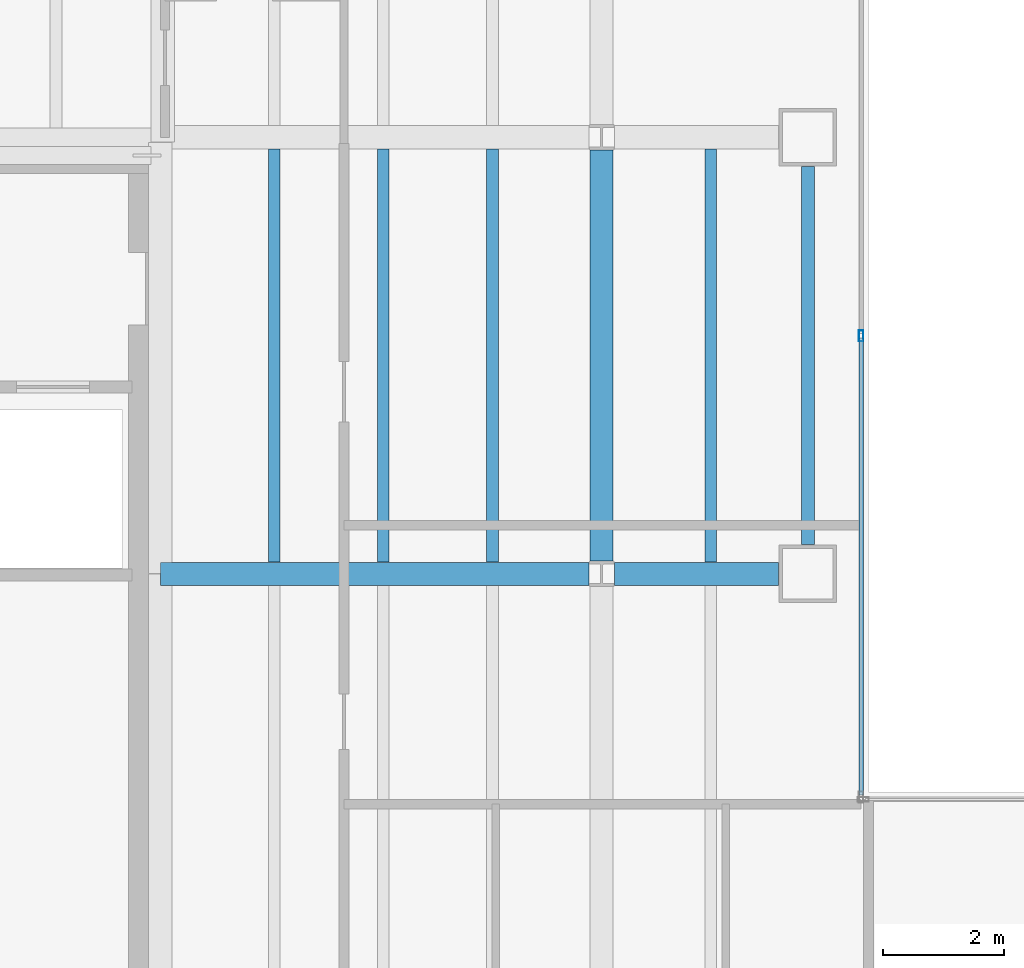
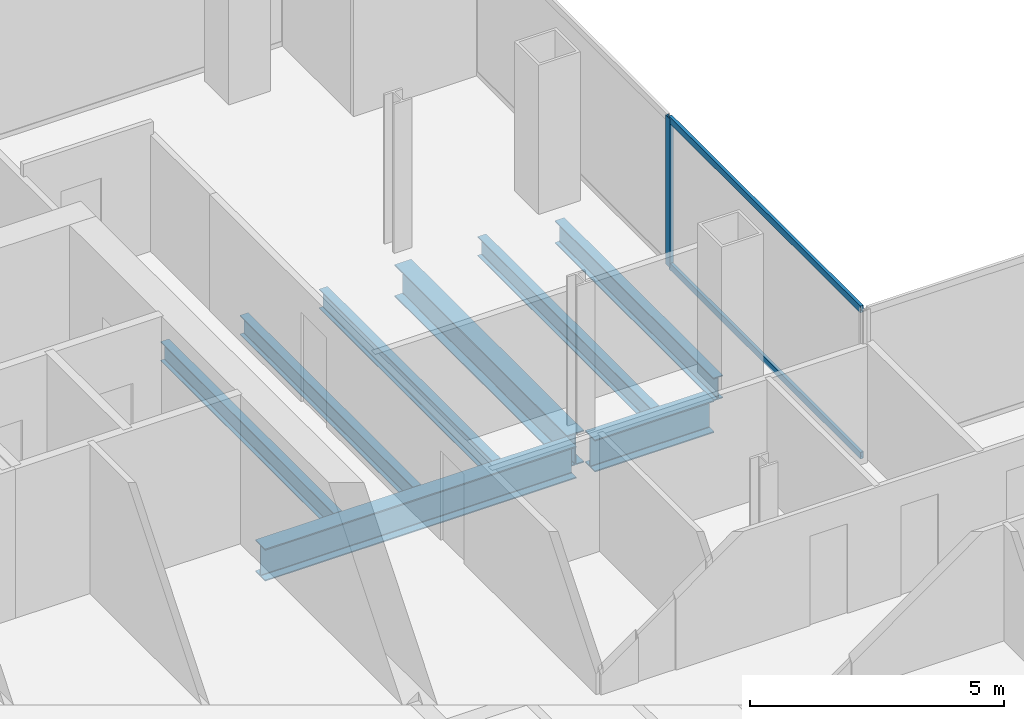
# One storey, part 8 of 23: 8 beams, 3 members, 1 element without a shape of its own.
"""IFC4 building model written with IfcOpenShell, lengths in metres."""

from ifc_helpers import new_model, si_unit, direction, frame, origin, origin_2d, place, context, subcontext, project, spatial, hollow_rectangle, i_section, extrude, material, material_profile, profile_set, type_object, element, aggregate, save


model = new_model("IFC4")

# Units and contexts
model_context = context("Model", 3, precision=1e-05, world=origin(), true_north=direction((0.0, 1.0)))
body_context = subcontext(model_context, "Body", "Model", "MODEL_VIEW")
ifc_project = project(units=[si_unit("LENGTHUNIT", "METRE"), si_unit("AREAUNIT", "SQUARE_METRE"), si_unit("VOLUMEUNIT", "CUBIC_METRE"), si_unit("PLANEANGLEUNIT", "RADIAN"), si_unit("MASSUNIT", "GRAM", prefix="KILO")], contexts=[model_context])

# Site, building, storey
site_placement = place(None, origin())
site = spatial("IfcSite", under=ifc_project, at=site_placement, CompositionType="ELEMENT")
building_placement = place(site_placement, origin())
building = spatial("IfcBuilding", under=site, at=building_placement, Name="Cobrela Telecom Tower", CompositionType="ELEMENT")
storey_placement = place(building_placement, frame((0.0, 0.0, 109.89990234375)))
storey = spatial("IfcBuildingStorey", under=building, at=storey_placement, Name="L27", CompositionType="ELEMENT", Elevation=109.89990234375)

# Beams
ifc_material_1 = material(Name="Steel ASTM A992 Grade 50", Category="steel")
ifc_material_profile_1 = material_profile(ifc_material_1, i_section(OverallWidth=0.381103515625, OverallDepth=0.77197265625, WebThickness=0.0166015625, FlangeThickness=0.027099609375, FilletRadius=0.01904296875, at=origin_2d()), Name="W30X173")
ifc_profile_set_1 = profile_set([ifc_material_profile_1], Name="Steel ASTM A992 Grade 50")
beam_type_1 = type_object("IfcBeamType", Name="BM-GIRD-04", PredefinedType="USERDEFINED", material=ifc_profile_set_1)
beam_1_placement = place(storey_placement, frame((14.324951171875, 28.800048828125, -0.656005859375), z_axis=(1.0, 0.0, 0.0), x_axis=(0.0, 1.0, 0.0)))
element("IfcBeam", 1, at=beam_1_placement, inside=storey, type_object=beam_type_1, Name="L27 Primary Girder X23", ObjectType="GIRDER", PredefinedType="USERDEFINED", context=body_context, shape_type="SweptSolid", body=[
    extrude(i_section(OverallWidth=0.381103515625, OverallDepth=0.77197265625, WebThickness=0.0166015625, FlangeThickness=0.027099609375, FilletRadius=0.01904296875, at=origin_2d()), origin(), (0.0, 0.0, 1.0), 7.0654296875),
])
beam_2_placement = place(storey_placement, frame((21.8095703125, 28.800048828125, -0.656005859375), z_axis=(1.0, 0.0, 0.0), x_axis=(0.0, 1.0, 0.0)))
element("IfcBeam", 2, at=beam_2_placement, inside=storey, type_object=beam_type_1, Name="L27 Primary Girder X24", ObjectType="GIRDER", PredefinedType="USERDEFINED", context=body_context, shape_type="SweptSolid", body=[
    extrude(i_section(OverallWidth=0.381103515625, OverallDepth=0.77197265625, WebThickness=0.0166015625, FlangeThickness=0.027099609375, FilletRadius=0.01904296875, at=origin_2d()), origin(), (0.0, 0.0, 1.0), 2.71044921875),
])
beam_3_placement = place(storey_placement, frame((21.60009765625, 29.009521484375, -0.656005859375), z_axis=(0.0, 1.0, 0.0), x_axis=(-1.0, 0.0, 0.0)))
element("IfcBeam", 3, at=beam_3_placement, inside=storey, type_object=beam_type_1, Name="L27 Primary Girder Y43", ObjectType="GIRDER", PredefinedType="USERDEFINED", context=body_context, shape_type="SweptSolid", body=[
    extrude(i_section(OverallWidth=0.381103515625, OverallDepth=0.77197265625, WebThickness=0.0166015625, FlangeThickness=0.027099609375, FilletRadius=0.01904296875, at=origin_2d()), origin(), (0.0, 0.0, 1.0), 6.781005859375),
])
ifc_material_profile_2 = material_profile(ifc_material_1, i_section(OverallWidth=0.193115234375, OverallDepth=0.467041015625, WebThickness=0.011474609375, FlangeThickness=0.01904296875, FilletRadius=0.012939453125, at=origin_2d()), Name="W18X65")
ifc_profile_set_2 = profile_set([ifc_material_profile_2], Name="Steel ASTM A992 Grade 50")
beam_type_2 = type_object("IfcBeamType", Name="BM-JOIST-03", PredefinedType="JOIST", material=ifc_profile_set_2)
for number, where, z_axis, x_axis, name in (
    (4, (16.199951171875, 28.99560546875, -0.50341796875), (0.0, 1.0, 0.0), (-1.0, 0.0, 0.0), "L27 Secondary Composite Floor Beam J07"),
    (5, (18.0, 28.99560546875, -0.50341796875), (0.0, 1.0, 0.0), (-1.0, 0.0, 0.0), "L27 Secondary Composite Floor Beam J12"),
    (6, (19.800048828125, 28.99560546875, -0.50341796875), (0.0, 1.0, 0.0), (-1.0, 0.0, 0.0), "L27 Secondary Composite Floor Beam J17"),
    (7, (23.39990234375, 28.99560546875, -0.50341796875), (0.0, 1.0, 0.0), (-1.0, 0.0, 0.0), "L27 Secondary Composite Floor Beam J22"),
):
    element("IfcBeam", number, at=place(storey_placement, frame(where, z_axis=z_axis, x_axis=x_axis)), inside=storey, type_object=beam_type_2, Name=name, PredefinedType="JOIST", context=body_context, shape_type="SweptSolid", body=[
        extrude(i_section(OverallWidth=0.193115234375, OverallDepth=0.467041015625, WebThickness=0.011474609375, FlangeThickness=0.01904296875, FilletRadius=0.012939453125, at=origin_2d()), origin(), (0.0, 0.0, 1.0), 6.808837890625),
    ])
ifc_material_profile_3 = material_profile(ifc_material_1, i_section(OverallWidth=0.212890625, OverallDepth=0.549072265625, WebThickness=0.0146484375, FlangeThickness=0.023681640625, FilletRadius=0.013916015625, at=origin_2d()), Name="W21X93")
ifc_profile_set_3 = profile_set([ifc_material_profile_3], Name="Steel ASTM A992 Grade 50")
beam_type_3 = type_object("IfcBeamType", Name="BM-SPAND-03", PredefinedType="SPANDREL", material=ifc_profile_set_3)
beam_4_placement = place(storey_placement, frame((25.0, 29.280029296875, -0.54443359375), z_axis=(0.0, 1.0, 0.0), x_axis=(-1.0, 0.0, 0.0)))
element("IfcBeam", 8, at=beam_4_placement, inside=storey, type_object=beam_type_3, Name="L27 Perimeter Spandrel Y45", PredefinedType="SPANDREL", context=body_context, shape_type="SweptSolid", body=[
    extrude(i_section(OverallWidth=0.212890625, OverallDepth=0.549072265625, WebThickness=0.0146484375, FlangeThickness=0.023681640625, FilletRadius=0.013916015625, at=origin_2d()), origin(), (0.0, 0.0, 1.0), 6.239990234375),
])

# Curtain wall, members
ifc_material_2 = material(Name="Anodized Bronze Aluminium 6063-T6", Category="aluminium")
curtain_wall_type = type_object("IfcCurtainWallType", Name="CW-SYS-TEL", PredefinedType="USERDEFINED", material=ifc_material_2)
curtain_wall_placement = place(storey_placement, origin())
curtain_wall = element("IfcCurtainWall", 9, at=curtain_wall_placement, inside=storey, type_object=curtain_wall_type, Name="L27 Unitised Bronze Curtain Wall 10", ObjectType="UNITISED CURTAIN WALL", PredefinedType="USERDEFINED")
ifc_material_profile_4 = material_profile(ifc_material_2, hollow_rectangle(XDim=0.074951171875, YDim=0.179931640625, WallThickness=0.00390625, at=origin_2d()), Name="ALU 75x180x4")
ifc_profile_set_4 = profile_set([ifc_material_profile_4], Name="Anodized Bronze Aluminium 6063-T6")
member_type_1 = type_object("IfcMemberType", Name="CW-SYS-TEL-MUL", PredefinedType="MULLION", material=ifc_profile_set_4)
member_1_placement = place(storey_placement, frame((25.8798828125, 32.72509765625, 0.0), z_axis=(0.0, 0.0, 1.0), x_axis=(1.0, 0.0, 0.0)))
member_1 = element("IfcMember", 10, at=member_1_placement, type_object=member_type_1, Name="CW-TEL mullion 2", PredefinedType="MULLION", context=body_context, shape_type="SweptSolid", body=[
    extrude(hollow_rectangle(XDim=0.074951171875, YDim=0.179931640625, WallThickness=0.00390625, at=origin_2d()), origin(), (0.0, 0.0, 1.0), 3.580078125),
])
ifc_material_profile_5 = material_profile(ifc_material_2, hollow_rectangle(XDim=0.070068359375, YDim=0.159912109375, WallThickness=0.00390625, at=origin_2d()), Name="ALU 70x160x4")
ifc_profile_set_5 = profile_set([ifc_material_profile_5], Name="Anodized Bronze Aluminium 6063-T6")
member_type_2 = type_object("IfcMemberType", Name="CW-SYS-TEL-TRN", PredefinedType="USERDEFINED", material=ifc_profile_set_5)
member_2_placement = place(storey_placement, frame((25.8798828125, 32.6875, 0.03515625), z_axis=(0.0, -1.0, 0.0), x_axis=(1.0, 0.0, 0.0)))
member_2 = element("IfcMember", 11, at=member_2_placement, type_object=member_type_2, Name="CW-TEL transom 2.1", ObjectType="TRANSOM", PredefinedType="USERDEFINED", context=body_context, shape_type="SweptSolid", body=[
    extrude(hollow_rectangle(XDim=0.070068359375, YDim=0.159912109375, WallThickness=0.00390625, at=origin_2d()), origin(), (0.0, 0.0, 1.0), 7.532470703125),
])
member_3_placement = place(storey_placement, frame((25.8798828125, 32.6875, 3.545166015625), z_axis=(0.0, -1.0, 0.0), x_axis=(1.0, 0.0, 0.0)))
member_3 = element("IfcMember", 12, at=member_3_placement, type_object=member_type_2, Name="CW-TEL transom 2.2", ObjectType="TRANSOM", PredefinedType="USERDEFINED", context=body_context, shape_type="SweptSolid", body=[
    extrude(hollow_rectangle(XDim=0.070068359375, YDim=0.159912109375, WallThickness=0.00390625, at=origin_2d()), origin(), (0.0, 0.0, 1.0), 7.532470703125),
])
aggregate(curtain_wall, [member_1, member_2, member_3])

save(model, "model.ifc")
